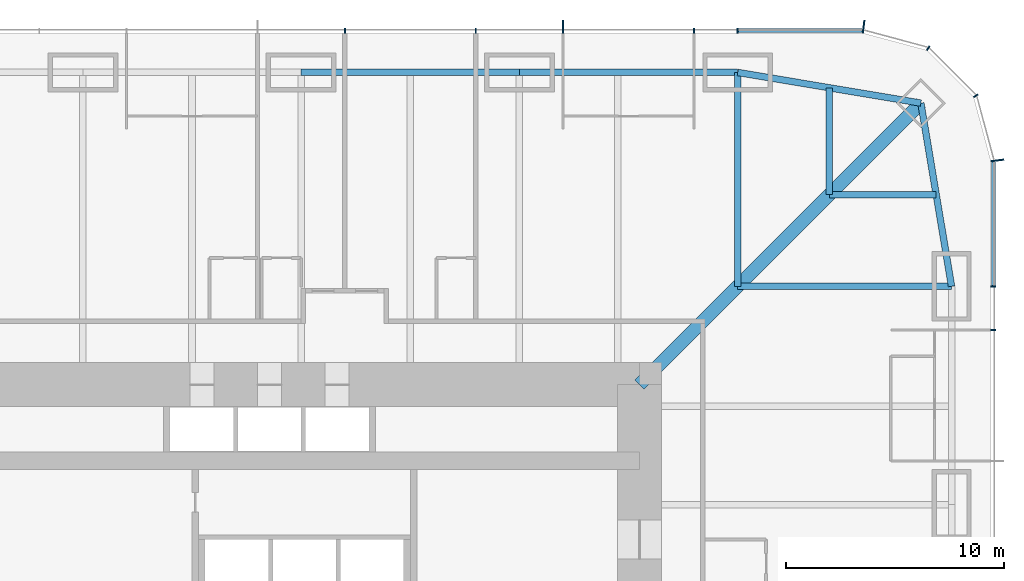
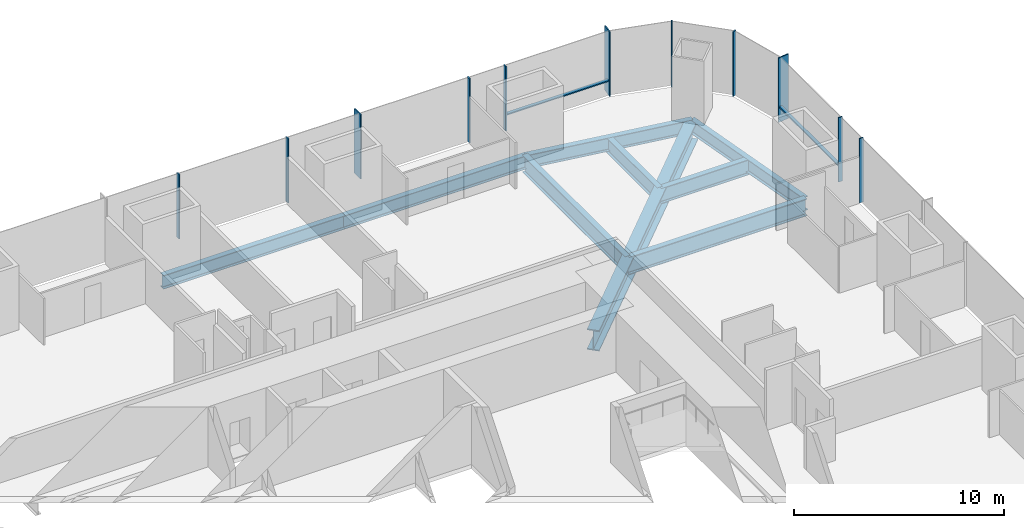
# One storey, part 9 of 17: 13 members, 9 beams, 3 elements without a shape of their own.
"""IFC4 building model written with IfcOpenShell, lengths in metres."""

from ifc_helpers import new_model, si_unit, direction, frame, origin, origin_2d, place, context, subcontext, project, spatial, rectangle, i_section, extrude, material, material_profile, profile_set, type_object, element, aggregate, save


model = new_model("IFC4")

# Units and contexts
model_context = context("Model", 3, precision=1e-05, world=origin(), true_north=direction((0.0, 1.0)))
body_context = subcontext(model_context, "Body", "Model", "MODEL_VIEW")
ifc_project = project(units=[si_unit("LENGTHUNIT", "METRE"), si_unit("AREAUNIT", "SQUARE_METRE"), si_unit("VOLUMEUNIT", "CUBIC_METRE"), si_unit("PLANEANGLEUNIT", "RADIAN"), si_unit("MASSUNIT", "GRAM", prefix="KILO")], contexts=[model_context])

# Site, building, storey
site_placement = place(None, origin())
site = spatial("IfcSite", under=ifc_project, at=site_placement, CompositionType="ELEMENT")
building_placement = place(site_placement, origin())
building = spatial("IfcBuilding", under=site, at=building_placement, Name="Khuree Lantern Residences", CompositionType="ELEMENT")
storey_placement = place(building_placement, frame((0.0, 0.0, 43.5)))
storey = spatial("IfcBuildingStorey", under=building, at=storey_placement, Name="L10", CompositionType="ELEMENT", Elevation=43.5)

# Beams
ifc_material_1 = material(Name="Steel S355", Category="steel")
ifc_material_profile_1 = material_profile(ifc_material_1, i_section(OverallWidth=0.300048828125, OverallDepth=0.889892578125, WebThickness=0.01611328125, FlangeThickness=0.030029296875, FilletRadius=0.030029296875, at=origin_2d()), Name="HE 900 A")
ifc_profile_set_1 = profile_set([ifc_material_profile_1], Name="Steel S355")
beam_type_1 = type_object("IfcBeamType", Name="B-12 SECONDARY BEAM HE 900 A", PredefinedType="BEAM", material=ifc_profile_set_1)
for number, where, z_axis, x_axis, name in (
    (1, (24.197021484375, 29.09716796875, -0.695068359375), (0.0, -1.0, 0.0), (1.0, 0.0, 0.0), "Secondary beam N5"),
    (2, (29.09716796875, 24.197021484375, -0.695068359375), (-1.0, 0.0, 0.0), (0.0, -1.0, 0.0), "Secondary beam E1"),
):
    element("IfcBeam", number, at=place(storey_placement, frame(where, z_axis=z_axis, x_axis=x_axis)), inside=storey, type_object=beam_type_1, Name=name, PredefinedType="BEAM", context=body_context, shape_type="SweptSolid", body=[
        extrude(i_section(OverallWidth=0.300048828125, OverallDepth=0.889892578125, WebThickness=0.01611328125, FlangeThickness=0.030029296875, FilletRadius=0.030029296875, at=origin_2d()), origin(), (0.0, 0.0, 1.0), 4.900146484375),
    ])
ifc_material_profile_2 = material_profile(ifc_material_1, i_section(OverallWidth=0.300048828125, OverallDepth=0.7900390625, WebThickness=0.014892578125, FlangeThickness=0.028076171875, FilletRadius=0.030029296875, at=origin_2d()), Name="HE 800 A")
ifc_profile_set_2 = profile_set([ifc_material_profile_2], Name="Steel S355")
beam_type_2 = type_object("IfcBeamType", Name="E-12 SPANDREL BEAM HE 800 A", PredefinedType="SPANDREL", material=ifc_profile_set_2)
for number, where, z_axis, x_axis, name in (
    (3, (0.0, 29.800048828125, -0.64501953125), (1.0, 0.0, 0.0), (0.0, 1.0, 0.0), "Spandrel beam N3"),
    (4, (10.0, 29.800048828125, -0.64501953125), (1.0, 0.0, 0.0), (0.0, 1.0, 0.0), "Spandrel beam N4"),
):
    element("IfcBeam", number, at=place(storey_placement, frame(where, z_axis=z_axis, x_axis=x_axis)), inside=storey, type_object=beam_type_2, Name=name, PredefinedType="SPANDREL", context=body_context, shape_type="SweptSolid", body=[
        extrude(i_section(OverallWidth=0.300048828125, OverallDepth=0.7900390625, WebThickness=0.014892578125, FlangeThickness=0.028076171875, FilletRadius=0.030029296875, at=origin_2d()), origin(), (0.0, 0.0, 1.0), 10.0),
    ])
for number, where, z_axis, x_axis, name in (
    (5, (20.0, 29.800048828125, -0.64501953125), (0.986260251158, -0.165199022349, 0.0), (0.165199022349, 0.986260251158, 0.0), "Spandrel beam N5"),
    (6, (28.39404296875, 28.39404296875, -0.64501953125), (0.165199022349, -0.986260251158, 0.0), (0.986260251158, 0.165199022349, 0.0), "Spandrel beam E1"),
):
    element("IfcBeam", number, at=place(storey_placement, frame(where, z_axis=z_axis, x_axis=x_axis)), inside=storey, type_object=beam_type_2, Name=name, PredefinedType="SPANDREL", context=body_context, shape_type="SweptSolid", body=[
        extrude(i_section(OverallWidth=0.300048828125, OverallDepth=0.7900390625, WebThickness=0.014892578125, FlangeThickness=0.028076171875, FilletRadius=0.030029296875, at=origin_2d()), origin(), (0.0, 0.0, 1.0), 8.510986328125),
    ])

# Curtain wall, member
ifc_material_2 = material(Name="Bronze anodised aluminium", Category="aluminium")
curtain_wall_type_1 = type_object("IfcCurtainWallType", Name="CW-T2 TOWER CORNER CURTAIN WALL", PredefinedType="USERDEFINED", material=ifc_material_2)
curtain_wall_1_placement = place(storey_placement, origin())
curtain_wall_1 = element("IfcCurtainWall", 7, at=curtain_wall_1_placement, inside=storey, type_object=curtain_wall_type_1, Name="L10 NORTH-EAST CORNER CURTAIN WALL", ObjectType="Faceted corner curtain wall", PredefinedType="USERDEFINED")
ifc_material_profile_3 = material_profile(ifc_material_2, rectangle(XDim=0.06494140625, YDim=0.60009765625, at=origin_2d()), Name="F1 65X600")
ifc_profile_set_3 = profile_set([ifc_material_profile_3], Name="Bronze anodised aluminium")
member_type_1 = type_object("IfcMemberType", Name="F1 BRONZE FIN MULLION TOWER 65X600", PredefinedType="MULLION", material=ifc_profile_set_3)
member_1_placement = place(storey_placement, frame((31.900146484375, 25.769775390625, 0.0), z_axis=(0.0, 0.0, 1.0), x_axis=(-0.130526257387, 0.991444852794, 0.0)))
member_1 = element("IfcMember", 8, at=member_1_placement, type_object=member_type_1, Name="L10 NORTH-EAST CORNER FIN MULLION 15", PredefinedType="MULLION", context=body_context, shape_type="SweptSolid", body=[
    extrude(rectangle(XDim=0.06494140625, YDim=0.60009765625, at=origin_2d()), origin(), (0.0, 0.0, 1.0), 3.75),
])

# Curtain wall, members
curtain_wall_type_2 = type_object("IfcCurtainWallType", Name="CW-T1 TOWER FACE CURTAIN WALL", PredefinedType="USERDEFINED", material=ifc_material_2)
curtain_wall_2_placement = place(storey_placement, origin())
curtain_wall_2 = element("IfcCurtainWall", 9, at=curtain_wall_2_placement, inside=storey, type_object=curtain_wall_type_2, Name="L10 NORTH FACE CURTAIN WALL", ObjectType="Stick-built curtain wall", PredefinedType="USERDEFINED")
member_2_placement = place(storey_placement, frame((25.769775390625, 31.900146484375, 0.0), z_axis=(0.0, 0.0, 1.0), x_axis=(-0.991444852794, 0.130526257387, 0.0)))
member_2 = element("IfcMember", 10, at=member_2_placement, type_object=member_type_1, Name="L10 NORTH FACE FIN MULLION 18", PredefinedType="MULLION", context=body_context, shape_type="SweptSolid", body=[
    extrude(rectangle(XDim=0.06494140625, YDim=0.60009765625, at=origin_2d()), origin(), (0.0, 0.0, 1.0), 3.75),
])
member_3_placement = place(storey_placement, frame((12.0, 31.89990234375, 0.0), z_axis=(0.0, 0.0, 1.0), x_axis=(-1.0, 0.0, 0.0)))
member_3 = element("IfcMember", 11, at=member_3_placement, type_object=member_type_1, Name="L10 NORTH FACE FIN MULLION 21", PredefinedType="MULLION", context=body_context, shape_type="SweptSolid", body=[
    extrude(rectangle(XDim=0.06494140625, YDim=0.60009765625, at=origin_2d()), origin(), (0.0, 0.0, 1.0), 3.75),
])

# Beams
ifc_material_profile_4 = material_profile(ifc_material_1, i_section(OverallWidth=0.302001953125, OverallDepth=1.008056640625, WebThickness=0.02099609375, FlangeThickness=0.0400390625, FilletRadius=0.030029296875, at=origin_2d()), Name="HE 1000 M")
ifc_profile_set_4 = profile_set([ifc_material_profile_4], Name="Steel S355")
beam_type_3 = type_object("IfcBeamType", Name="G-12 GIRDER HE 1000 M", PredefinedType="BEAM", material=ifc_profile_set_4)
for number, where, z_axis, x_axis, name in (
    (12, (20.0, 29.800048828125, -0.75390625), (0.0, -1.0, 0.0), (1.0, 0.0, 0.0), "Girder N5"),
    (13, (29.800048828125, 20.0, -0.75390625), (-1.0, 0.0, 0.0), (0.0, -1.0, 0.0), "Girder E1"),
):
    element("IfcBeam", number, at=place(storey_placement, frame(where, z_axis=z_axis, x_axis=x_axis)), inside=storey, type_object=beam_type_3, Name=name, PredefinedType="BEAM", context=body_context, shape_type="SweptSolid", body=[
        extrude(i_section(OverallWidth=0.302001953125, OverallDepth=1.008056640625, WebThickness=0.02099609375, FlangeThickness=0.0400390625, FilletRadius=0.030029296875, at=origin_2d()), origin(), (0.0, 0.0, 1.0), 9.800048828125),
    ])
ifc_material_profile_5 = material_profile(ifc_material_1, i_section(OverallWidth=0.60009765625, OverallDepth=1.199951171875, WebThickness=0.030029296875, FlangeThickness=0.06005859375, at=origin_2d()), Name="WELDED I 1200X600X30X60")
ifc_profile_set_5 = profile_set([ifc_material_profile_5], Name="Steel S355")
beam_type_4 = type_object("IfcBeamType", Name="GD-12 CORNER GIRDER WELDED I 1200X600X30X60", PredefinedType="BEAM", material=ifc_profile_set_5)
beam_placement = place(storey_placement, frame((28.39404296875, 28.39404296875, -0.85009765625), z_axis=(-0.707106781187, -0.707106781187, 0.0), x_axis=(0.707106781187, -0.707106781187, 0.0)))
element("IfcBeam", 14, at=beam_placement, inside=storey, type_object=beam_type_4, Name="Corner girder NE", PredefinedType="BEAM", context=body_context, shape_type="SweptSolid", body=[
    extrude(i_section(OverallWidth=0.60009765625, OverallDepth=1.199951171875, WebThickness=0.030029296875, FlangeThickness=0.06005859375, at=origin_2d()), origin(), (0.0, 0.0, 1.0), 18.23486328125),
])

# Curtain wall, members
curtain_wall_3_placement = place(storey_placement, origin())
curtain_wall_3 = element("IfcCurtainWall", 15, at=curtain_wall_3_placement, inside=storey, type_object=curtain_wall_type_2, Name="L10 EAST FACE CURTAIN WALL", ObjectType="Stick-built curtain wall", PredefinedType="USERDEFINED")
ifc_material_profile_6 = material_profile(ifc_material_2, rectangle(XDim=0.06494140625, YDim=0.219970703125, at=origin_2d()), Name="M1 65X220")
ifc_profile_set_6 = profile_set([ifc_material_profile_6], Name="Bronze anodised aluminium")
member_type_2 = type_object("IfcMemberType", Name="M1 BRONZE MULLION TOWER 65X220", PredefinedType="MULLION", material=ifc_profile_set_6)
member_4_placement = place(storey_placement, frame((31.7099609375, 18.0, 0.0), z_axis=(0.0, 0.0, 1.0), x_axis=(0.0, 1.0, 0.0)))
member_4 = element("IfcMember", 16, at=member_4_placement, type_object=member_type_2, Name="L10 EAST FACE MULLION 13", PredefinedType="MULLION", context=body_context, shape_type="SweptSolid", body=[
    extrude(rectangle(XDim=0.06494140625, YDim=0.219970703125, at=origin_2d()), origin(), (0.0, 0.0, 1.0), 3.75),
])
member_5_placement = place(storey_placement, frame((31.7099609375, 20.0, 0.0), z_axis=(0.0, 0.0, 1.0), x_axis=(0.0, 1.0, 0.0)))
member_5 = element("IfcMember", 17, at=member_5_placement, type_object=member_type_2, Name="L10 EAST FACE MULLION 14", PredefinedType="MULLION", context=body_context, shape_type="SweptSolid", body=[
    extrude(rectangle(XDim=0.06494140625, YDim=0.219970703125, at=origin_2d()), origin(), (0.0, 0.0, 1.0), 3.75),
])

# Member
member_6_placement = place(storey_placement, frame((30.91162109375, 28.72998046875, 0.0), z_axis=(0.0, 0.0, 1.0), x_axis=(-0.500000056923, 0.86602537092, 0.0)))
member_6 = element("IfcMember", 18, at=member_6_placement, type_object=member_type_2, Name="L10 NORTH-EAST CORNER MULLION 16", PredefinedType="MULLION", context=body_context, shape_type="SweptSolid", body=[
    extrude(rectangle(XDim=0.06494140625, YDim=0.219970703125, at=origin_2d()), origin(), (0.0, 0.0, 1.0), 3.75),
])

member_7_placement = place(storey_placement, frame((28.72998046875, 30.91162109375, 0.0), z_axis=(0.0, 0.0, 1.0), x_axis=(-0.86602537092, 0.500000056923, 0.0)))
member_7 = element("IfcMember", 19, at=member_7_placement, type_object=member_type_2, Name="L10 NORTH-EAST CORNER MULLION 17", PredefinedType="MULLION", context=body_context, shape_type="SweptSolid", body=[
    extrude(rectangle(XDim=0.06494140625, YDim=0.219970703125, at=origin_2d()), origin(), (0.0, 0.0, 1.0), 3.75),
])

aggregate(curtain_wall_1, [member_1, member_6, member_7])

member_8_placement = place(storey_placement, frame((20.0, 31.7099609375, 0.0), z_axis=(0.0, 0.0, 1.0), x_axis=(-1.0, 0.0, 0.0)))
member_8 = element("IfcMember", 20, at=member_8_placement, type_object=member_type_2, Name="L10 NORTH FACE MULLION 19", PredefinedType="MULLION", context=body_context, shape_type="SweptSolid", body=[
    extrude(rectangle(XDim=0.06494140625, YDim=0.219970703125, at=origin_2d()), origin(), (0.0, 0.0, 1.0), 3.75),
])

member_9_placement = place(storey_placement, frame((18.0, 31.7099609375, 0.0), z_axis=(0.0, 0.0, 1.0), x_axis=(-1.0, 0.0, 0.0)))
member_9 = element("IfcMember", 21, at=member_9_placement, type_object=member_type_2, Name="L10 NORTH FACE MULLION 20", PredefinedType="MULLION", context=body_context, shape_type="SweptSolid", body=[
    extrude(rectangle(XDim=0.06494140625, YDim=0.219970703125, at=origin_2d()), origin(), (0.0, 0.0, 1.0), 3.75),
])

member_10_placement = place(storey_placement, frame((8.0, 31.7099609375, 0.0), z_axis=(0.0, 0.0, 1.0), x_axis=(-1.0, 0.0, 0.0)))
member_10 = element("IfcMember", 22, at=member_10_placement, type_object=member_type_2, Name="L10 NORTH FACE MULLION 22", PredefinedType="MULLION", context=body_context, shape_type="SweptSolid", body=[
    extrude(rectangle(XDim=0.06494140625, YDim=0.219970703125, at=origin_2d()), origin(), (0.0, 0.0, 1.0), 3.75),
])

member_11_placement = place(storey_placement, frame((2.0, 31.7099609375, 0.0), z_axis=(0.0, 0.0, 1.0), x_axis=(-1.0, 0.0, 0.0)))
member_11 = element("IfcMember", 23, at=member_11_placement, type_object=member_type_2, Name="L10 NORTH FACE MULLION 23", PredefinedType="MULLION", context=body_context, shape_type="SweptSolid", body=[
    extrude(rectangle(XDim=0.06494140625, YDim=0.219970703125, at=origin_2d()), origin(), (0.0, 0.0, 1.0), 3.75),
])

ifc_material_profile_7 = material_profile(ifc_material_2, rectangle(XDim=0.179931640625, YDim=0.06494140625, at=origin_2d()), Name="T1 180X65")
ifc_profile_set_7 = profile_set([ifc_material_profile_7], Name="Bronze anodised aluminium")
member_type_3 = type_object("IfcMemberType", Name="TRANSOM T1 TOWER 180X65", PredefinedType="USERDEFINED", material=ifc_profile_set_7)
member_12_placement = place(storey_placement, frame((31.719970703125, 20.032470703125, 0.89990234375), z_axis=(0.0, 1.0, 0.0), x_axis=(-1.0, 0.0, 0.0)))
member_12 = element("IfcMember", 24, at=member_12_placement, type_object=member_type_3, Name="L10 EAST FACE TRANSOM 14.1", ObjectType="Transom", PredefinedType="USERDEFINED", context=body_context, shape_type="SweptSolid", body=[
    extrude(rectangle(XDim=0.179931640625, YDim=0.06494140625, at=origin_2d()), origin(), (0.0, 0.0, 1.0), 5.6689453125),
])

aggregate(curtain_wall_3, [member_4, member_5, member_12])

member_13_placement = place(storey_placement, frame((25.701416015625, 31.719970703125, 0.89990234375), z_axis=(-1.0, 0.0, 0.0), x_axis=(0.0, -1.0, 0.0)))
member_13 = element("IfcMember", 25, at=member_13_placement, type_object=member_type_3, Name="L10 NORTH FACE TRANSOM 18.1", ObjectType="Transom", PredefinedType="USERDEFINED", context=body_context, shape_type="SweptSolid", body=[
    extrude(rectangle(XDim=0.179931640625, YDim=0.06494140625, at=origin_2d()), origin(), (0.0, 0.0, 1.0), 5.6689453125),
])

aggregate(curtain_wall_2, [member_2, member_8, member_9, member_3, member_10, member_11, member_13])

save(model, "model.ifc")
